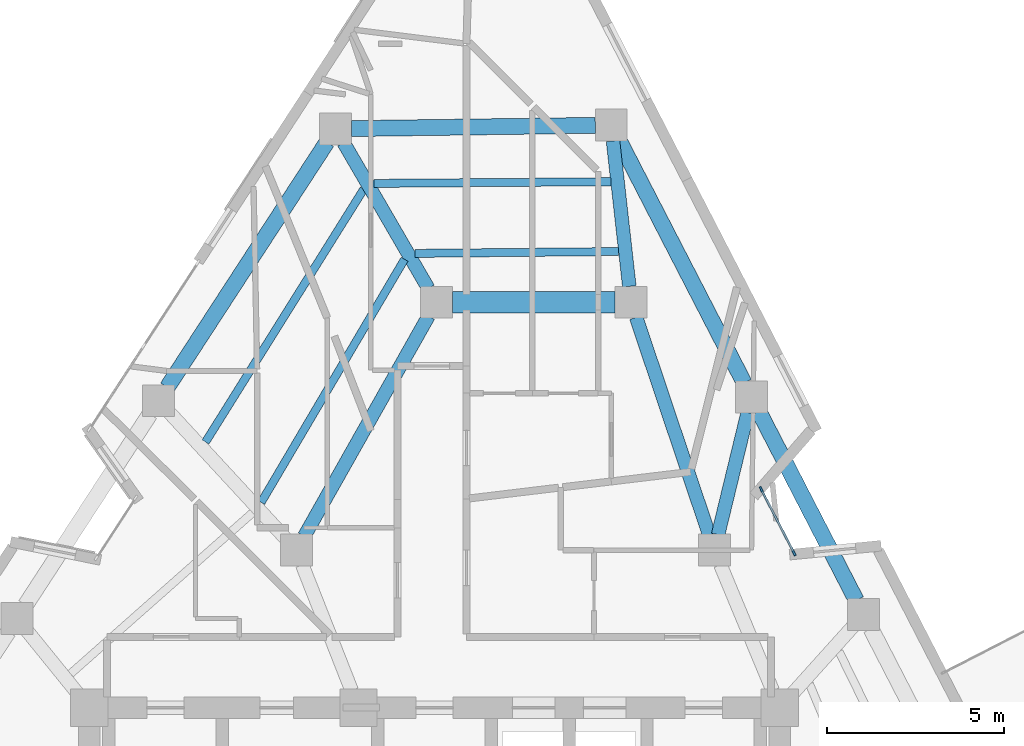
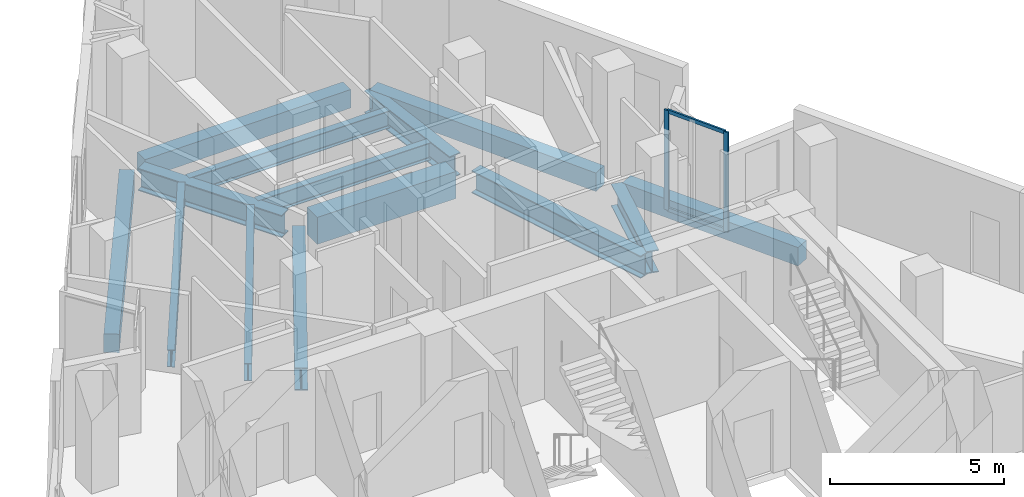
# One storey, part 3 of 10: 14 beams, 4 members, 1 element without a shape of its own.
"""IFC4 building model written with IfcOpenShell, lengths in metres."""

from ifc_helpers import new_model, si_unit, direction, frame, origin, origin_2d, place, context, subcontext, project, spatial, rectangle, i_section, extrude, material, layer, layer_set, material_profile, profile_set, type_object, element, aggregate, save


model = new_model("IFC4")

# Units and contexts
model_context = context("Model", 3, precision=1e-05, world=origin(), true_north=direction((0.0, 1.0)))
body_context = subcontext(model_context, "Body", "Model", "MODEL_VIEW")
ifc_project = project(units=[si_unit("LENGTHUNIT", "METRE"), si_unit("AREAUNIT", "SQUARE_METRE"), si_unit("VOLUMEUNIT", "CUBIC_METRE"), si_unit("PLANEANGLEUNIT", "RADIAN"), si_unit("MASSUNIT", "GRAM", prefix="KILO")], contexts=[model_context])

# Site, building, storey
site_placement = place(None, origin())
site = spatial("IfcSite", under=ifc_project, at=site_placement, CompositionType="ELEMENT")
building_placement = place(site_placement, origin())
building = spatial("IfcBuilding", under=site, at=building_placement, Name="Almagre Mirador Tower", CompositionType="ELEMENT")
storey_placement = place(building_placement, frame((0.0, 0.0, 222.0)))
storey = spatial("IfcBuildingStorey", under=building, at=storey_placement, Name="L57", CompositionType="ELEMENT", Elevation=222.0)

# Beams
ifc_material_1 = material(Name="Steel ASTM A992 Grade 50", Category="steel")
ifc_material_profile_1 = material_profile(ifc_material_1, i_section(OverallWidth=0.22802734375, OverallDepth=0.60791015625, WebThickness=0.01123046875, FlangeThickness=0.017333984375, FilletRadius=0.02001953125, at=origin_2d()), Name="W24X76")
ifc_profile_set_1 = profile_set([ifc_material_profile_1], Name="Steel ASTM A992 Grade 50")
beam_type_1 = type_object("IfcBeamType", Name="BM-JST-W24X76", PredefinedType="JOIST", material=ifc_profile_set_1)
beam_1_placement = place(storey_placement, frame((42.276123046875, 29.603271484375, -0.553955078125), z_axis=(-0.999974882537, -0.007087615623, 0.0), x_axis=(0.007087615623, -0.999974882537, 0.0)))
element("IfcBeam", 1, at=beam_1_placement, inside=storey, type_object=beam_type_1, Name="L57 secondary floor joist PC08-PC09.1", PredefinedType="JOIST", context=body_context, shape_type="SweptSolid", body=[
    extrude(i_section(OverallWidth=0.22802734375, OverallDepth=0.60791015625, WebThickness=0.01123046875, FlangeThickness=0.017333984375, FilletRadius=0.02001953125, at=origin_2d()), origin(), (0.0, 0.0, 1.0), 6.6826171875),
])
beam_2_placement = place(storey_placement, frame((42.497314453125, 27.63134765625, -0.553955078125), z_axis=(-0.999959183472, -0.009035009166, 0.0), x_axis=(0.009035009166, -0.999959183472, 0.0)))
element("IfcBeam", 2, at=beam_2_placement, inside=storey, type_object=beam_type_1, Name="L57 secondary floor joist PC08-PC09.3", PredefinedType="JOIST", context=body_context, shape_type="SweptSolid", body=[
    extrude(i_section(OverallWidth=0.22802734375, OverallDepth=0.60791015625, WebThickness=0.01123046875, FlangeThickness=0.017333984375, FilletRadius=0.02001953125, at=origin_2d()), origin(), (0.0, 0.0, 1.0), 5.755615234375),
])
beam_3_placement = place(storey_placement, frame((35.2998046875, 29.391845703125, -0.553955078125), z_axis=(-0.530491384924, -0.847690327019, 0.0), x_axis=(0.847690327019, -0.530491384924, 0.0)))
element("IfcBeam", 3, at=beam_3_placement, inside=storey, type_object=beam_type_1, Name="L57 secondary floor joist PC09-PC10.1", PredefinedType="JOIST", context=body_context, shape_type="SweptSolid", body=[
    extrude(i_section(OverallWidth=0.22802734375, OverallDepth=0.60791015625, WebThickness=0.01123046875, FlangeThickness=0.017333984375, FilletRadius=0.02001953125, at=origin_2d()), origin(), (0.0, 0.0, 1.0), 8.421142578125),
])
beam_4_placement = place(storey_placement, frame((36.452392578125, 27.412109375, -0.553955078125), z_axis=(-0.508060215772, -0.861321552702, 0.0), x_axis=(0.861321552702, -0.508060215772, 0.0)))
element("IfcBeam", 4, at=beam_4_placement, inside=storey, type_object=beam_type_1, Name="L57 secondary floor joist PC09-PC10.3", PredefinedType="JOIST", context=body_context, shape_type="SweptSolid", body=[
    extrude(i_section(OverallWidth=0.22802734375, OverallDepth=0.60791015625, WebThickness=0.01123046875, FlangeThickness=0.017333984375, FilletRadius=0.02001953125, at=origin_2d()), origin(), (0.0, 0.0, 1.0), 7.9677734375),
])
ifc_material_2 = material(Name="Concrete C60/75", Category="concrete")
ifc_material_profile_2 = material_profile(ifc_material_2, rectangle(XDim=0.60009765625, YDim=0.949951171875, at=origin_2d()), Name="RC600X950")
ifc_profile_set_2 = profile_set([ifc_material_profile_2], Name="Concrete C60/75")
beam_type_2 = type_object("IfcBeamType", Name="BM-LIN-RC600X950", PredefinedType="LINTEL", material=ifc_profile_set_2)
beam_5_placement = place(storey_placement, frame((37.800048828125, 26.199951171875, -0.72509765625), z_axis=(1.0, 0.0, 0.0), x_axis=(0.0, 1.0, 0.0)))
element("IfcBeam", 5, at=beam_5_placement, inside=storey, type_object=beam_type_2, Name="L57 coupled header lintel LN-01", PredefinedType="LINTEL", context=body_context, shape_type="SweptSolid", body=[
    extrude(rectangle(XDim=0.60009765625, YDim=0.949951171875, at=origin_2d()), origin(), (0.0, 0.0, 1.0), 4.599853515625),
])
ifc_material_3 = material(Name="Precast concrete C50/60", Category="concrete")
ifc_material_profile_3 = material_profile(ifc_material_3, rectangle(XDim=0.449951171875, YDim=0.64990234375, at=origin_2d()), Name="RC450X650")
ifc_profile_set_3 = profile_set([ifc_material_profile_3], Name="Precast concrete C50/60")
beam_type_3 = type_object("IfcBeamType", Name="BM-SPN-RC450X650", PredefinedType="SPANDREL", material=ifc_profile_set_3)
beam_6_placement = place(storey_placement, frame((49.210693359375, 17.778076171875, -0.574951171875), z_axis=(-0.458304670179, 0.888795155979, 0.0), x_axis=(-0.888795155979, -0.458304670179, 0.0)))
element("IfcBeam", 6, at=beam_6_placement, inside=storey, type_object=beam_type_3, Name="L57 perimeter spandrel beam PC06-PC07", PredefinedType="SPANDREL", context=body_context, shape_type="SweptSolid", body=[
    extrude(rectangle(XDim=0.449951171875, YDim=0.64990234375, at=origin_2d()), origin(), (0.0, 0.0, 1.0), 6.0126953125),
])
beam_7_placement = place(storey_placement, frame((46.042724609375, 23.922119140625, -0.574951171875), z_axis=(-0.45830626259, 0.888794334855, 0.0), x_axis=(-0.888794334855, -0.45830626259, 0.0)))
element("IfcBeam", 7, at=beam_7_placement, inside=storey, type_object=beam_type_3, Name="L57 perimeter spandrel beam PC07-PC08", PredefinedType="SPANDREL", context=body_context, shape_type="SweptSolid", body=[
    extrude(rectangle(XDim=0.449951171875, YDim=0.64990234375, at=origin_2d()), origin(), (0.0, 0.0, 1.0), 7.74072265625),
])
beam_8_placement = place(storey_placement, frame((41.839111328125, 31.19580078125, -0.574951171875), z_axis=(-0.999909177083, -0.013477298879, 0.0), x_axis=(0.013477298879, -0.999909177083, 0.0)))
element("IfcBeam", 8, at=beam_8_placement, inside=storey, type_object=beam_type_3, Name="L57 perimeter spandrel beam PC08-PC09", PredefinedType="SPANDREL", context=body_context, shape_type="SweptSolid", body=[
    extrude(rectangle(XDim=0.449951171875, YDim=0.64990234375, at=origin_2d()), origin(), (0.0, 0.0, 1.0), 6.8837890625),
])
beam_9_placement = place(storey_placement, frame((34.260498046875, 30.719970703125, -0.574951171875), z_axis=(-0.545607073801, -0.838041121317, 0.0), x_axis=(0.838041121317, -0.545607073801, 0.0)))
element("IfcBeam", 9, at=beam_9_placement, inside=storey, type_object=beam_type_3, Name="L57 perimeter spandrel beam PC09-PC10", PredefinedType="SPANDREL", context=body_context, shape_type="SweptSolid", body=[
    extrude(rectangle(XDim=0.449951171875, YDim=0.64990234375, at=origin_2d()), origin(), (0.0, 0.0, 1.0), 8.26416015625),
])
ifc_material_4 = material(Name="Steel ASTM A992 Grade 50", Category="steel")
ifc_material_profile_4 = material_profile(ifc_material_4, i_section(OverallWidth=0.384033203125, OverallDepth=0.784912109375, WebThickness=0.019775390625, FlangeThickness=0.033447265625, FilletRadius=0.02392578125, at=origin_2d()), Name="W30X211")
ifc_profile_set_4 = profile_set([ifc_material_profile_4], Name="Steel ASTM A992 Grade 50")
beam_type_4 = type_object("IfcBeamType", Name="BM-STL-W30X211", PredefinedType="BEAM", material=ifc_profile_set_4)
beam_10_placement = place(storey_placement, frame((42.9931640625, 25.7734375, -0.642578125), z_axis=(0.318282890726, -0.947995781357, 0.0), x_axis=(0.947995781357, 0.318282890726, 0.0)))
element("IfcBeam", 10, at=beam_10_placement, inside=storey, type_object=beam_type_4, Name="L57 core tie girder MC6-MC5", PredefinedType="BEAM", context=body_context, shape_type="SweptSolid", body=[
    extrude(i_section(OverallWidth=0.384033203125, OverallDepth=0.784912109375, WebThickness=0.019775390625, FlangeThickness=0.033447265625, FilletRadius=0.02392578125, at=origin_2d()), origin(), (0.0, 0.0, 1.0), 6.48388671875),
])
beam_11_placement = place(storey_placement, frame((37.12890625, 25.80810546875, -0.642578125), z_axis=(-0.491446261843, -0.870907900825, 0.0), x_axis=(0.870907900825, -0.491446261843, 0.0)))
element("IfcBeam", 11, at=beam_11_placement, inside=storey, type_object=beam_type_4, Name="L57 core tie girder MC7-MC8", PredefinedType="BEAM", context=body_context, shape_type="SweptSolid", body=[
    extrude(i_section(OverallWidth=0.384033203125, OverallDepth=0.784912109375, WebThickness=0.019775390625, FlangeThickness=0.033447265625, FilletRadius=0.02392578125, at=origin_2d()), origin(), (0.0, 0.0, 1.0), 7.1376953125),
])
beam_12_placement = place(storey_placement, frame((46.142822265625, 23.084716796875, -0.642578125), z_axis=(-0.235842287006, -0.971791343684, 0.0), x_axis=(0.971791343684, -0.235842287006, 0.0)))
element("IfcBeam", 12, at=beam_12_placement, inside=storey, type_object=beam_type_4, Name="L57 radial floor girder PC07-MC5", PredefinedType="BEAM", context=body_context, shape_type="SweptSolid", body=[
    extrude(i_section(OverallWidth=0.384033203125, OverallDepth=0.784912109375, WebThickness=0.019775390625, FlangeThickness=0.033447265625, FilletRadius=0.02392578125, at=origin_2d()), origin(), (0.0, 0.0, 1.0), 3.547607421875),
])
beam_13_placement = place(storey_placement, frame((42.339111328125, 30.7548828125, -0.642578125), z_axis=(0.111455741765, -0.993769398617, 0.0), x_axis=(0.993769398617, 0.111455741765, 0.0)))
element("IfcBeam", 13, at=beam_13_placement, inside=storey, type_object=beam_type_4, Name="L57 radial floor girder PC08-MC6", PredefinedType="BEAM", context=body_context, shape_type="SweptSolid", body=[
    extrude(i_section(OverallWidth=0.384033203125, OverallDepth=0.784912109375, WebThickness=0.019775390625, FlangeThickness=0.033447265625, FilletRadius=0.02392578125, at=origin_2d()), origin(), (0.0, 0.0, 1.0), 4.13330078125),
])
beam_14_placement = place(storey_placement, frame((34.73193359375, 30.7080078125, -0.642578125), z_axis=(0.502209707608, -0.864745864161, 0.0), x_axis=(0.864745864161, 0.502209707608, 0.0)))
element("IfcBeam", 14, at=beam_14_placement, inside=storey, type_object=beam_type_4, Name="L57 radial floor girder PC09-MC7", PredefinedType="BEAM", context=body_context, shape_type="SweptSolid", body=[
    extrude(i_section(OverallWidth=0.384033203125, OverallDepth=0.784912109375, WebThickness=0.019775390625, FlangeThickness=0.033447265625, FilletRadius=0.02392578125, at=origin_2d()), origin(), (0.0, 0.0, 1.0), 4.76318359375),
])

# Curtain wall, members
ifc_material_5 = material(Name="Black anodized aluminium", Category="aluminium")
ifc_layer = layer(ifc_material_5, 0.169921875)
ifc_layer_set = layer_set([ifc_layer], Name="Black anodized aluminium")
curtain_wall_type = type_object("IfcCurtainWallType", Name="CW-CRS-SYS", PredefinedType="NOTDEFINED", material=ifc_layer_set)
curtain_wall_placement = place(storey_placement, origin())
curtain_wall = element("IfcCurtainWall", 15, at=curtain_wall_placement, inside=storey, type_object=curtain_wall_type, Name="L57 vertical crease curtain wall 03", PredefinedType="NOTDEFINED")
ifc_material_6 = material(Name="Black anodized aluminium", Category="aluminium")
ifc_material_profile_5 = material_profile(ifc_material_6, rectangle(XDim=0.06005859375, YDim=0.14990234375, at=origin_2d()), Name="CWM60X150")
ifc_profile_set_5 = profile_set([ifc_material_profile_5], Name="Black anodized aluminium")
member_type_1 = type_object("IfcMemberType", Name="MBR-CWM60X150", PredefinedType="MULLION", material=ifc_profile_set_5)
member_1_placement = place(storey_placement, frame((46.523681640625, 20.916259765625, 0.0), z_axis=(0.0, 0.0, 1.0), x_axis=(0.888708726279, 0.458472245436, 0.0)))
member_1 = element("IfcMember", 16, at=member_1_placement, type_object=member_type_1, Name="CW-4 mullion 1", PredefinedType="MULLION", context=body_context, shape_type="SweptSolid", body=[
    extrude(rectangle(XDim=0.06005859375, YDim=0.14990234375, at=origin_2d()), origin(), (0.0, 0.0, 1.0), 3.5),
])
member_2_placement = place(storey_placement, frame((47.454345703125, 19.112548828125, 0.0), z_axis=(0.0, 0.0, 1.0), x_axis=(0.888708726279, 0.458472245436, 0.0)))
member_2 = element("IfcMember", 17, at=member_2_placement, type_object=member_type_1, Name="CW-4 mullion 2", PredefinedType="MULLION", context=body_context, shape_type="SweptSolid", body=[
    extrude(rectangle(XDim=0.06005859375, YDim=0.14990234375, at=origin_2d()), origin(), (0.0, 0.0, 1.0), 3.5),
])
ifc_material_7 = material(Name="Black anodized aluminium", Category="aluminium")
ifc_material_profile_6 = material_profile(ifc_material_7, rectangle(XDim=0.06005859375, YDim=0.1298828125, at=origin_2d()), Name="CWT60X130")
ifc_profile_set_6 = profile_set([ifc_material_profile_6], Name="Black anodized aluminium")
member_type_2 = type_object("IfcMemberType", Name="MBR-CWT60X130", PredefinedType="USERDEFINED", material=ifc_profile_set_6)
member_3_placement = place(storey_placement, frame((46.53759765625, 20.8896484375, 0.030029296875), z_axis=(0.458434493855, -0.88872820077, 0.0), x_axis=(0.88872820077, 0.458434493855, 0.0)))
member_3 = element("IfcMember", 18, at=member_3_placement, type_object=member_type_2, Name="CW-4 transom 1.1", ObjectType="TRANSOM", PredefinedType="USERDEFINED", context=body_context, shape_type="SweptSolid", body=[
    extrude(rectangle(XDim=0.06005859375, YDim=0.1298828125, at=origin_2d()), origin(), (0.0, 0.0, 1.0), 1.969482421875),
])
member_4_placement = place(storey_placement, frame((46.53759765625, 20.8896484375, 3.469970703125), z_axis=(0.458434493855, -0.88872820077, 0.0), x_axis=(0.88872820077, 0.458434493855, 0.0)))
member_4 = element("IfcMember", 19, at=member_4_placement, type_object=member_type_2, Name="CW-4 transom 1.2", ObjectType="TRANSOM", PredefinedType="USERDEFINED", context=body_context, shape_type="SweptSolid", body=[
    extrude(rectangle(XDim=0.06005859375, YDim=0.1298828125, at=origin_2d()), origin(), (0.0, 0.0, 1.0), 1.969482421875),
])
aggregate(curtain_wall, [member_1, member_2, member_3, member_4])

save(model, "model.ifc")
